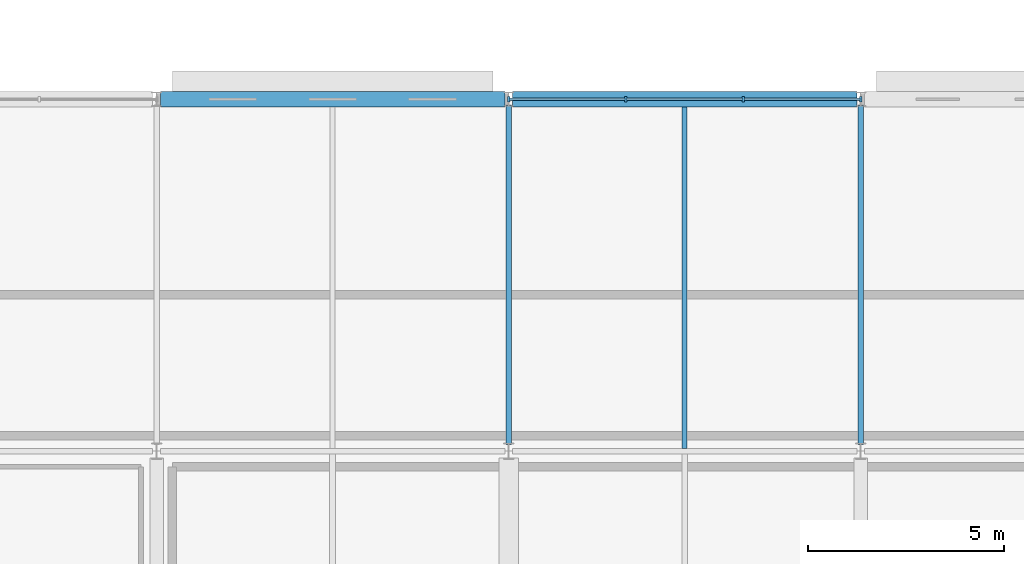
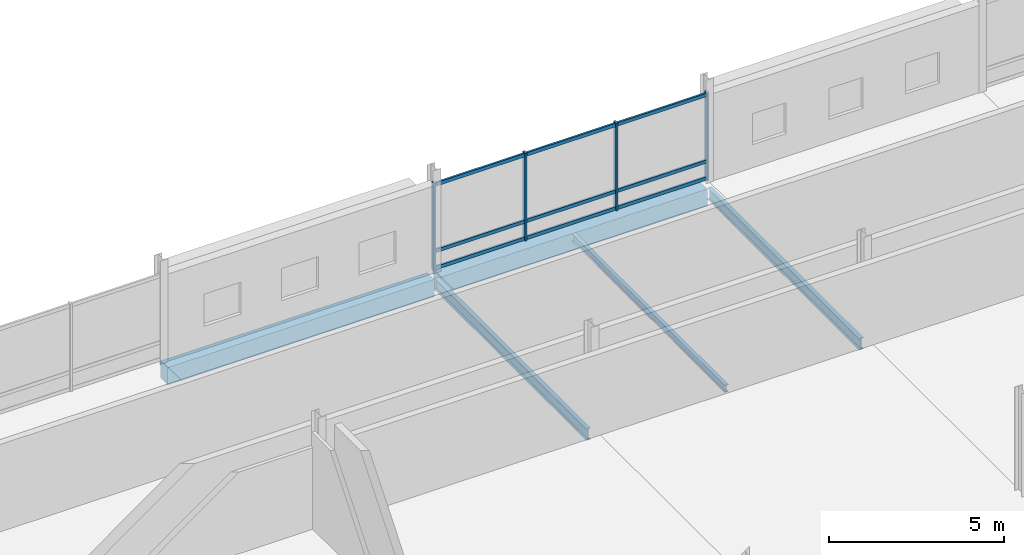
# One storey, part 49 of 132: 13 members, 5 beams, 1 element without a shape of its own.
"""IFC4 building model written with IfcOpenShell, lengths in metres."""

import ifcopenshell
import ifcopenshell.guid

model = None  # the IFC model being written
_history = None  # IfcOwnerHistory: only IFC2X3 demands one
_inside = {}  # id of a spatial element -> (the spatial element, [elements in it])
_under = {}  # id of a project, library or spatial element -> (it, [spatial elements below it])
_declared = {}  # id of a project -> (the project, [libraries it declares])
_typed = {}  # id of a type object -> (the type object, [elements of that type])
_made_of = {}  # id of a material, layer set ... -> (it, [elements and type objects made of it])


def new_model(schema):
    """Start an empty IFC model of exactly this schema.

    Asked for "IFC4X3", IfcOpenShell would pick the latest addendum, in which some entities
    have other attributes; the version numbers below select the first issue.
    IFC2X3 requires an IfcOwnerHistory on every rooted entity: one is made here for all.
    """
    global model, _history
    if schema == "IFC4X3":
        model = ifcopenshell.file(schema_version=(4, 3, 0, 0))
    else:
        model = ifcopenshell.file(schema=schema)
    _inside.clear()
    _under.clear()
    _declared.clear()
    _typed.clear()
    _made_of.clear()
    _history = None
    if model.schema == "IFC2X3":
        org = make("IfcOrganization", Name="unknown")
        user = make(
            "IfcPersonAndOrganization",
            ThePerson=make("IfcPerson", FamilyName="unknown"),
            TheOrganization=org,
        )
        app = make(
            "IfcApplication",
            ApplicationDeveloper=org,
            Version="unknown",
            ApplicationFullName="unknown",
            ApplicationIdentifier="unknown",
        )
        _history = make(
            "IfcOwnerHistory",
            OwningUser=user,
            OwningApplication=app,
            ChangeAction="ADDED",
            CreationDate=0,
        )
    return model


def make(cls, **values):
    """One entity of the class cls with the attributes given. An attribute that is None is left unset."""
    return model.create_entity(
        cls, **{name: value for name, value in values.items() if value is not None}
    )


def rooted(cls, **values):
    """An entity with a GlobalId (a new one), such as an element, a storey or a relation."""
    return make(cls, GlobalId=ifcopenshell.guid.new(), OwnerHistory=_history, **values)


def si_unit(unit_type, name, prefix=None):
    """IfcSIUnit, for example si_unit("LENGTHUNIT", "METRE", prefix="MILLI")."""
    return make("IfcSIUnit", UnitType=unit_type, Prefix=prefix, Name=name)


def assignment(units):
    """IfcUnitAssignment: the units of a project."""
    return None if units is None else make("IfcUnitAssignment", Units=units)


def point(xyz):
    """IfcCartesianPoint."""
    return None if xyz is None else make("IfcCartesianPoint", Coordinates=xyz)


def direction(xyz):
    """IfcDirection."""
    return None if xyz is None else make("IfcDirection", DirectionRatios=xyz)


def frame(location, z_axis=None, x_axis=None):
    """IfcAxis2Placement3D, a coordinate frame: its origin and axes. An axis left out is left unset."""
    return make(
        "IfcAxis2Placement3D",
        Location=point(location),
        Axis=direction(z_axis),
        RefDirection=direction(x_axis),
    )


def frame_2d(location, x_axis=None):
    """IfcAxis2Placement2D, a coordinate frame in the plane: its origin and x axis."""
    return make(
        "IfcAxis2Placement2D", Location=point(location), RefDirection=direction(x_axis)
    )


def origin():
    """The frame at (0, 0, 0) with its axes left unset."""
    return frame((0.0, 0.0, 0.0))


def origin_2d():
    """The frame at (0, 0) in the plane with its x axis left unset."""
    return frame_2d((0.0, 0.0))


def place(relative_to, where):
    """IfcLocalPlacement: puts the frame where relative to a parent placement (None: the world)."""
    return make(
        "IfcLocalPlacement", PlacementRelTo=relative_to, RelativePlacement=where
    )


def context(
    kind, dimensions, precision=None, world=None, true_north=None, identifier=None
):
    """IfcGeometricRepresentationContext, for example the 3D "Model" context."""
    return make(
        "IfcGeometricRepresentationContext",
        ContextIdentifier=identifier,
        ContextType=kind,
        CoordinateSpaceDimension=dimensions,
        Precision=precision,
        WorldCoordinateSystem=world,
        TrueNorth=true_north,
    )


def subcontext(parent, identifier, kind, view, scale=None):
    """IfcGeometricRepresentationSubContext, for example "Body" below "Model"."""
    return make(
        "IfcGeometricRepresentationSubContext",
        ContextIdentifier=identifier,
        ContextType=kind,
        ParentContext=parent,
        TargetScale=scale,
        TargetView=view,
    )


def project(units=None, contexts=None):
    """IfcProject with its units and contexts."""
    return rooted(
        "IfcProject",
        Name="project",
        RepresentationContexts=contexts,
        UnitsInContext=assignment(units),
    )


def spatial(cls, under=None, at=None, **own):
    """A site, building, storey or space (cls), placed at a placement, below another one or the project."""
    s = rooted(cls, ObjectPlacement=at, **own)
    if under is not None:
        _under.setdefault(under.id(), (under, []))[1].append(s)
    return s


def profile(cls, at=None, kind="AREA", **sizes):
    """A parametric profile (cls). Its sizes go by their IFC names, for example OverallWidth=200.0."""
    return make(cls, ProfileType=kind, Position=at, **sizes)


def rectangle(**sizes):
    """IfcRectangleProfileDef."""
    return profile("IfcRectangleProfileDef", **sizes)


def i_section(**sizes):
    """IfcIShapeProfileDef."""
    return profile("IfcIShapeProfileDef", **sizes)


def extrude(swept, where, along, depth):
    """IfcExtrudedAreaSolid: the profile swept, set in the frame where, extruded along a direction by depth."""
    return make(
        "IfcExtrudedAreaSolid",
        SweptArea=swept,
        Position=where,
        ExtrudedDirection=direction(along),
        Depth=depth,
    )


def shape(context_of_items, identifier, shape_type, items):
    """IfcShapeRepresentation: the items that make up one representation, for example the "Body"."""
    return make(
        "IfcShapeRepresentation",
        ContextOfItems=context_of_items,
        RepresentationIdentifier=identifier,
        RepresentationType=shape_type,
        Items=items,
    )


def material(Name=None, Category=None):
    """IfcMaterial."""
    return make("IfcMaterial", Name=Name, Category=Category)


def material_profile(
    of_material, cross_section, Name=None, Category=None, Priority=None
):
    """IfcMaterialProfile: a cross section and its material."""
    return make(
        "IfcMaterialProfile",
        Name=Name,
        Material=of_material,
        Profile=cross_section,
        Priority=Priority,
        Category=Category,
    )


def profile_set(profiles, Name=None, composite=None):
    """IfcMaterialProfileSet."""
    return make(
        "IfcMaterialProfileSet",
        Name=Name,
        MaterialProfiles=profiles,
        CompositeProfile=composite,
    )


def made_of(thing, what):
    """Note that an element or type object is made of a material, layer set ...; save() writes the relation."""
    if what is not None:
        _made_of.setdefault(what.id(), (what, []))[1].append(thing)
    return thing


def type_object(cls, material=None, **own):
    """A type object (cls), such as IfcWallType, which elements share."""
    return made_of(rooted(cls, **own), material)


def element(
    cls,
    number,
    at=None,
    inside=None,
    cuts=None,
    type_object=None,
    material=None,
    context=None,
    identifier="Body",
    shape_type=None,
    held_by="IfcProductDefinitionShape",
    body=None,
    shapes=None,
    **own,
):
    """One element of the class cls, such as IfcWall. Its Tag is "e" and its number.

    at: its placement. inside: the storey or other place that contains it. cuts: it is an
    opening in that element (IfcRelVoidsElement). A single representation is given by context,
    identifier, shape_type and body (its items); several are given by shapes. held_by: the class
    of the entity that holds the representations. save() writes the other relations.
    """
    e = rooted(cls, Tag="e%d" % number, ObjectPlacement=at, **own)
    if body is not None:
        shapes = [shape(context, identifier, shape_type, body)]
    if shapes is not None:
        e.Representation = make(held_by, Representations=shapes)
    if inside is not None:
        _inside.setdefault(inside.id(), (inside, []))[1].append(e)
    if cuts is not None:
        rooted(
            "IfcRelVoidsElement", RelatingBuildingElement=cuts, RelatedOpeningElement=e
        )
    if type_object is not None:
        _typed.setdefault(type_object.id(), (type_object, []))[1].append(e)
    return made_of(e, material)


def aggregate(whole, parts):
    """IfcRelAggregates: a whole, such as a stair, and the parts it consists of."""
    return rooted("IfcRelAggregates", RelatingObject=whole, RelatedObjects=parts)


def save(model, path):
    """Write the relations noted so far, then the file.

    IfcRelAggregates (storeys below a building ...), IfcRelContainedInSpatialStructure (elements
    in a storey), IfcRelDefinesByType, IfcRelAssociatesMaterial and IfcRelDeclares: one each for
    every whole, place, type object, material and project.
    """
    for whole, parts in _under.values():
        aggregate(whole, parts)
    for where, things in _inside.values():
        rooted(
            "IfcRelContainedInSpatialStructure",
            RelatedElements=things,
            RelatingStructure=where,
        )
    for kind, things in _typed.values():
        rooted("IfcRelDefinesByType", RelatedObjects=things, RelatingType=kind)
    for what, things in _made_of.values():
        rooted("IfcRelAssociatesMaterial", RelatedObjects=things, RelatingMaterial=what)
    for by, libraries in _declared.values():
        rooted("IfcRelDeclares", RelatingContext=by, RelatedDefinitions=libraries)
    model.write(path)


model = new_model("IFC4")

# Units and contexts
model_context = context("Model", 3, precision=1e-05, world=origin(), true_north=direction((0.0, 1.0)))
body_context = subcontext(model_context, "Body", "Model", "MODEL_VIEW")
ifc_project = project(units=[si_unit("LENGTHUNIT", "METRE"), si_unit("AREAUNIT", "SQUARE_METRE"), si_unit("VOLUMEUNIT", "CUBIC_METRE"), si_unit("PLANEANGLEUNIT", "RADIAN"), si_unit("MASSUNIT", "GRAM", prefix="KILO")], contexts=[model_context])

# Site, building, storey
site_placement = place(None, origin())
site = spatial("IfcSite", under=ifc_project, at=site_placement, CompositionType="ELEMENT")
building_placement = place(site_placement, origin())
building = spatial("IfcBuilding", under=site, at=building_placement, Name="Tharagai Park Tramway Depot", CompositionType="ELEMENT")
storey_placement = place(building_placement, frame((0.0, 0.0, 4.800048828125)))
storey = spatial("IfcBuildingStorey", under=building, at=storey_placement, Name="L01", CompositionType="ELEMENT", Elevation=4.800048828125)

# Beams
ifc_material_1 = material(Name="Steel E350", Category="steel")
ifc_material_profile_1 = material_profile(ifc_material_1, i_section(OverallWidth=0.139892578125, OverallDepth=0.39990234375, WebThickness=0.0087890625, FlangeThickness=0.01611328125, FilletRadius=0.013916015625, at=origin_2d()), Name="ISMB 400")
ifc_profile_set_1 = profile_set([ifc_material_profile_1], Name="Steel E350")
beam_type_1 = type_object("IfcBeamType", Name="BM-06", PredefinedType="BEAM", material=ifc_profile_set_1)
for number, where, z_axis, x_axis, name in (
    (1, (54.0, 90.175048828125, -0.380126953125), (0.0, 1.0, 0.0), (-1.0, 0.0, 0.0), "L01 Grid Beam BM-06"),
    (2, (63.0, 90.175048828125, -0.380126953125), (0.0, 1.0, 0.0), (-1.0, 0.0, 0.0), "L01 Grid Beam BM-06"),
):
    element("IfcBeam", number, at=place(storey_placement, frame(where, z_axis=z_axis, x_axis=x_axis)), inside=storey, type_object=beam_type_1, Name=name, PredefinedType="BEAM", context=body_context, shape_type="SweptSolid", body=[
        extrude(i_section(OverallWidth=0.139892578125, OverallDepth=0.39990234375, WebThickness=0.0087890625, FlangeThickness=0.01611328125, FilletRadius=0.013916015625, at=origin_2d()), origin(), (0.0, 0.0, 1.0), 8.675048828125),
    ])

# Curtain wall, members
ifc_material_2 = material(Name="Anodised aluminium", Category="aluminium")
curtain_wall_type = type_object("IfcCurtainWallType", Name="CW-01", PredefinedType="NOTDEFINED", material=ifc_material_2)
curtain_wall_placement = place(storey_placement, origin())
curtain_wall = element("IfcCurtainWall", 3, at=curtain_wall_placement, inside=storey, type_object=curtain_wall_type, Name="L01 V1 Gothic Mullioned Curtain Wall CW-01", PredefinedType="NOTDEFINED")
ifc_material_profile_2 = material_profile(ifc_material_2, rectangle(XDim=0.06494140625, YDim=0.1201171875, at=origin_2d()), Name="ALU 65x120")
ifc_profile_set_2 = profile_set([ifc_material_profile_2], Name="Anodised aluminium")
member_type_1 = type_object("IfcMemberType", Name="CM-01", PredefinedType="USERDEFINED", material=ifc_profile_set_2)
member_1_placement = place(storey_placement, frame((54.010986328125, 99.0, 0.06005859375), z_axis=(1.0, 0.0, 0.0), x_axis=(0.0, 1.0, 0.0)))
member_1 = element("IfcMember", 4, at=member_1_placement, type_object=member_type_1, Name="L01 V1 Gothic Mullioned Curtain Wall Transom 1.1", ObjectType="TRANSOM", PredefinedType="USERDEFINED", context=body_context, shape_type="SweptSolid", body=[
    extrude(rectangle(XDim=0.06494140625, YDim=0.1201171875, at=origin_2d()), origin(), (0.0, 0.0, 1.0), 2.97265625),
])
member_2_placement = place(storey_placement, frame((54.010986328125, 99.0, 0.64990234375), z_axis=(1.0, 0.0, 0.0), x_axis=(0.0, 1.0, 0.0)))
member_2 = element("IfcMember", 5, at=member_2_placement, type_object=member_type_1, Name="L01 V1 Gothic Mullioned Curtain Wall Transom 1.2", ObjectType="TRANSOM", PredefinedType="USERDEFINED", context=body_context, shape_type="SweptSolid", body=[
    extrude(rectangle(XDim=0.06494140625, YDim=0.1201171875, at=origin_2d()), origin(), (0.0, 0.0, 1.0), 2.97265625),
])
member_3_placement = place(storey_placement, frame((54.010986328125, 99.0, 2.969970703125), z_axis=(1.0, 0.0, 0.0), x_axis=(0.0, 1.0, 0.0)))
member_3 = element("IfcMember", 6, at=member_3_placement, type_object=member_type_1, Name="L01 V1 Gothic Mullioned Curtain Wall Transom 1.3", ObjectType="TRANSOM", PredefinedType="USERDEFINED", context=body_context, shape_type="SweptSolid", body=[
    extrude(rectangle(XDim=0.06494140625, YDim=0.1201171875, at=origin_2d()), origin(), (0.0, 0.0, 1.0), 2.97265625),
])
member_4_placement = place(storey_placement, frame((57.013671875, 99.0, 0.06005859375), z_axis=(1.0, 0.0, 0.0), x_axis=(0.0, 1.0, 0.0)))
member_4 = element("IfcMember", 7, at=member_4_placement, type_object=member_type_1, Name="L01 V1 Gothic Mullioned Curtain Wall Transom 2.1", ObjectType="TRANSOM", PredefinedType="USERDEFINED", context=body_context, shape_type="SweptSolid", body=[
    extrude(rectangle(XDim=0.06494140625, YDim=0.1201171875, at=origin_2d()), origin(), (0.0, 0.0, 1.0), 2.97265625),
])
member_5_placement = place(storey_placement, frame((57.013671875, 99.0, 0.64990234375), z_axis=(1.0, 0.0, 0.0), x_axis=(0.0, 1.0, 0.0)))
member_5 = element("IfcMember", 8, at=member_5_placement, type_object=member_type_1, Name="L01 V1 Gothic Mullioned Curtain Wall Transom 2.2", ObjectType="TRANSOM", PredefinedType="USERDEFINED", context=body_context, shape_type="SweptSolid", body=[
    extrude(rectangle(XDim=0.06494140625, YDim=0.1201171875, at=origin_2d()), origin(), (0.0, 0.0, 1.0), 2.97265625),
])
member_6_placement = place(storey_placement, frame((57.013671875, 99.0, 2.969970703125), z_axis=(1.0, 0.0, 0.0), x_axis=(0.0, 1.0, 0.0)))
member_6 = element("IfcMember", 9, at=member_6_placement, type_object=member_type_1, Name="L01 V1 Gothic Mullioned Curtain Wall Transom 2.3", ObjectType="TRANSOM", PredefinedType="USERDEFINED", context=body_context, shape_type="SweptSolid", body=[
    extrude(rectangle(XDim=0.06494140625, YDim=0.1201171875, at=origin_2d()), origin(), (0.0, 0.0, 1.0), 2.97265625),
])
member_7_placement = place(storey_placement, frame((60.016357421875, 99.0, 0.06005859375), z_axis=(1.0, 0.0, 0.0), x_axis=(0.0, 1.0, 0.0)))
member_7 = element("IfcMember", 10, at=member_7_placement, type_object=member_type_1, Name="L01 V1 Gothic Mullioned Curtain Wall Transom 3.1", ObjectType="TRANSOM", PredefinedType="USERDEFINED", context=body_context, shape_type="SweptSolid", body=[
    extrude(rectangle(XDim=0.06494140625, YDim=0.1201171875, at=origin_2d()), origin(), (0.0, 0.0, 1.0), 2.97265625),
])
member_8_placement = place(storey_placement, frame((60.016357421875, 99.0, 0.64990234375), z_axis=(1.0, 0.0, 0.0), x_axis=(0.0, 1.0, 0.0)))
member_8 = element("IfcMember", 11, at=member_8_placement, type_object=member_type_1, Name="L01 V1 Gothic Mullioned Curtain Wall Transom 3.2", ObjectType="TRANSOM", PredefinedType="USERDEFINED", context=body_context, shape_type="SweptSolid", body=[
    extrude(rectangle(XDim=0.06494140625, YDim=0.1201171875, at=origin_2d()), origin(), (0.0, 0.0, 1.0), 2.97265625),
])
member_9_placement = place(storey_placement, frame((60.016357421875, 99.0, 2.969970703125), z_axis=(1.0, 0.0, 0.0), x_axis=(0.0, 1.0, 0.0)))
member_9 = element("IfcMember", 12, at=member_9_placement, type_object=member_type_1, Name="L01 V1 Gothic Mullioned Curtain Wall Transom 3.3", ObjectType="TRANSOM", PredefinedType="USERDEFINED", context=body_context, shape_type="SweptSolid", body=[
    extrude(rectangle(XDim=0.06494140625, YDim=0.1201171875, at=origin_2d()), origin(), (0.0, 0.0, 1.0), 2.97265625),
])
ifc_material_profile_3 = material_profile(ifc_material_2, rectangle(XDim=0.06494140625, YDim=0.14990234375, at=origin_2d()), Name="ALU 65x150")
ifc_profile_set_3 = profile_set([ifc_material_profile_3], Name="Anodised aluminium")
member_type_2 = type_object("IfcMemberType", Name="CM-03", PredefinedType="MULLION", material=ifc_profile_set_3)
member_10_placement = place(storey_placement, frame((53.99609375, 99.0, -0.005126953125), z_axis=(0.0, 0.0, 1.0), x_axis=(1.0, 0.0, 0.0)))
member_10 = element("IfcMember", 13, at=member_10_placement, type_object=member_type_2, Name="L01 V1 Gothic Mullioned Curtain Wall Mullion 1", PredefinedType="MULLION", context=body_context, shape_type="SweptSolid", body=[
    extrude(rectangle(XDim=0.06494140625, YDim=0.14990234375, at=origin_2d()), origin(), (0.0, 0.0, 1.0), 3.06005859375),
])
member_11_placement = place(storey_placement, frame((56.998779296875, 99.0, -0.005126953125), z_axis=(0.0, 0.0, 1.0), x_axis=(1.0, 0.0, 0.0)))
member_11 = element("IfcMember", 14, at=member_11_placement, type_object=member_type_2, Name="L01 V1 Gothic Mullioned Curtain Wall Mullion 2", PredefinedType="MULLION", context=body_context, shape_type="SweptSolid", body=[
    extrude(rectangle(XDim=0.06494140625, YDim=0.14990234375, at=origin_2d()), origin(), (0.0, 0.0, 1.0), 3.06005859375),
])
member_12_placement = place(storey_placement, frame((60.001220703125, 99.0, -0.005126953125), z_axis=(0.0, 0.0, 1.0), x_axis=(1.0, 0.0, 0.0)))
member_12 = element("IfcMember", 15, at=member_12_placement, type_object=member_type_2, Name="L01 V1 Gothic Mullioned Curtain Wall Mullion 3", PredefinedType="MULLION", context=body_context, shape_type="SweptSolid", body=[
    extrude(rectangle(XDim=0.06494140625, YDim=0.14990234375, at=origin_2d()), origin(), (0.0, 0.0, 1.0), 3.06005859375),
])
member_13_placement = place(storey_placement, frame((63.00390625, 99.0, -0.005126953125), z_axis=(0.0, 0.0, 1.0), x_axis=(1.0, 0.0, 0.0)))
member_13 = element("IfcMember", 16, at=member_13_placement, type_object=member_type_2, Name="L01 V1 Gothic Mullioned Curtain Wall Mullion 4", PredefinedType="MULLION", context=body_context, shape_type="SweptSolid", body=[
    extrude(rectangle(XDim=0.06494140625, YDim=0.14990234375, at=origin_2d()), origin(), (0.0, 0.0, 1.0), 3.06005859375),
])
aggregate(curtain_wall, [member_10, member_11, member_12, member_13, member_1, member_2, member_3, member_4, member_5, member_6, member_7, member_8, member_9])

# Beams
ifc_material_3 = material(Name="Steel E250", Category="steel")
ifc_material_profile_4 = material_profile(ifc_material_3, i_section(OverallWidth=0.125, OverallDepth=0.25, WebThickness=0.0068359375, FlangeThickness=0.012451171875, FilletRadius=0.012939453125, at=origin_2d()), Name="ISMB 250")
ifc_profile_set_4 = profile_set([ifc_material_profile_4], Name="Steel E250")
beam_type_2 = type_object("IfcBeamType", Name="JT-02", PredefinedType="JOIST", material=ifc_profile_set_4)
beam_placement = place(storey_placement, frame((58.5, 90.074951171875, -0.304931640625), z_axis=(0.0, 1.0, 0.0), x_axis=(-1.0, 0.0, 0.0)))
element("IfcBeam", 17, at=beam_placement, inside=storey, type_object=beam_type_2, Name="L01 Secondary Joist JT-02", PredefinedType="JOIST", context=body_context, shape_type="SweptSolid", body=[
    extrude(i_section(OverallWidth=0.125, OverallDepth=0.25, WebThickness=0.0068359375, FlangeThickness=0.012451171875, FilletRadius=0.012939453125, at=origin_2d()), origin(), (0.0, 0.0, 1.0), 8.72509765625),
])
ifc_material_4 = material(Name="Concrete M35", Category="concrete")
ifc_material_profile_5 = material_profile(ifc_material_4, rectangle(XDim=0.39990234375, YDim=0.60009765625, at=origin_2d()), Name="RC 400x600")
ifc_profile_set_5 = profile_set([ifc_material_profile_5], Name="Concrete M35")
beam_type_3 = type_object("IfcBeamType", Name="SP-02", PredefinedType="SPANDREL", material=ifc_profile_set_5)
for number, where, z_axis, x_axis, name in (
    (18, (45.10009765625, 99.0, -0.47998046875), (1.0, 0.0, 0.0), (0.0, 1.0, 0.0), "L01 Grid Beam SP-02"),
    (19, (54.10009765625, 99.0, -0.47998046875), (1.0, 0.0, 0.0), (0.0, 1.0, 0.0), "L01 Grid Beam SP-02"),
):
    element("IfcBeam", number, at=place(storey_placement, frame(where, z_axis=z_axis, x_axis=x_axis)), inside=storey, type_object=beam_type_3, Name=name, PredefinedType="SPANDREL", context=body_context, shape_type="SweptSolid", body=[
        extrude(rectangle(XDim=0.39990234375, YDim=0.60009765625, at=origin_2d()), origin(), (0.0, 0.0, 1.0), 8.7998046875),
    ])

save(model, "model.ifc")
